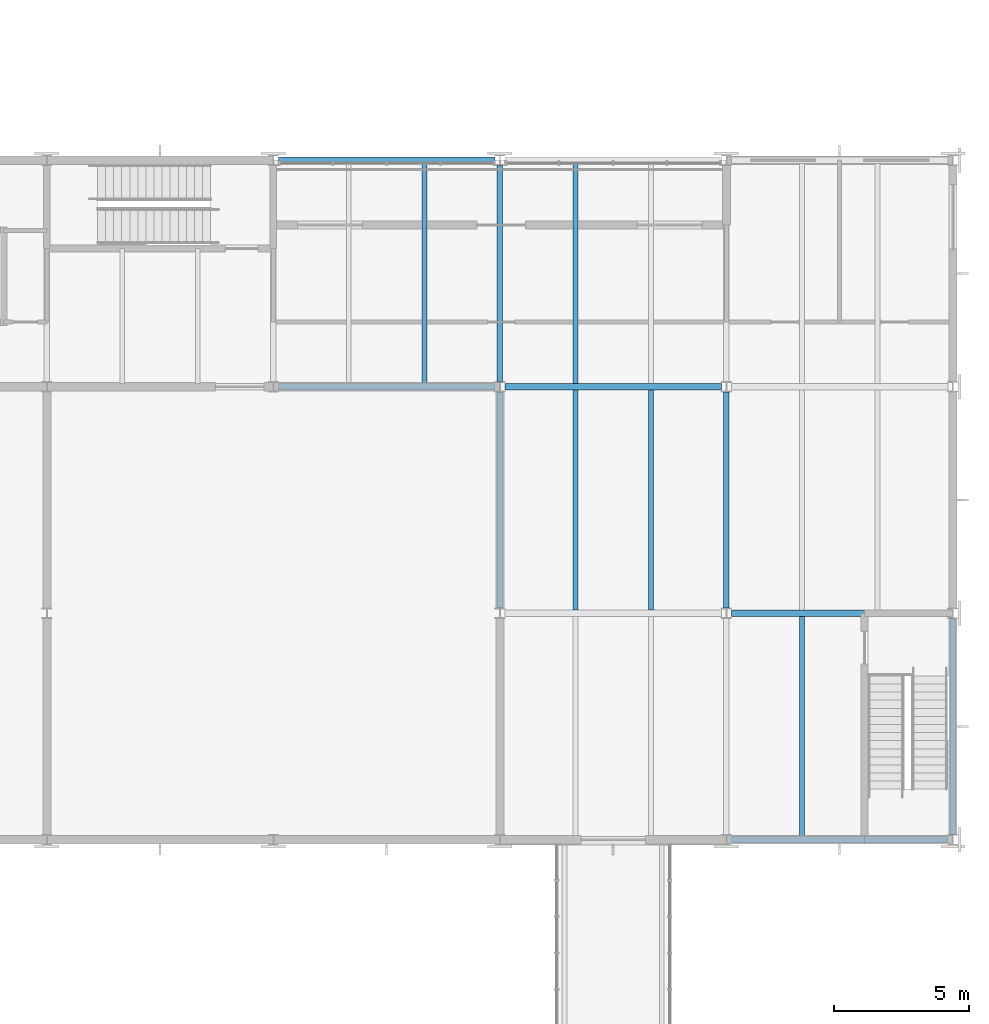
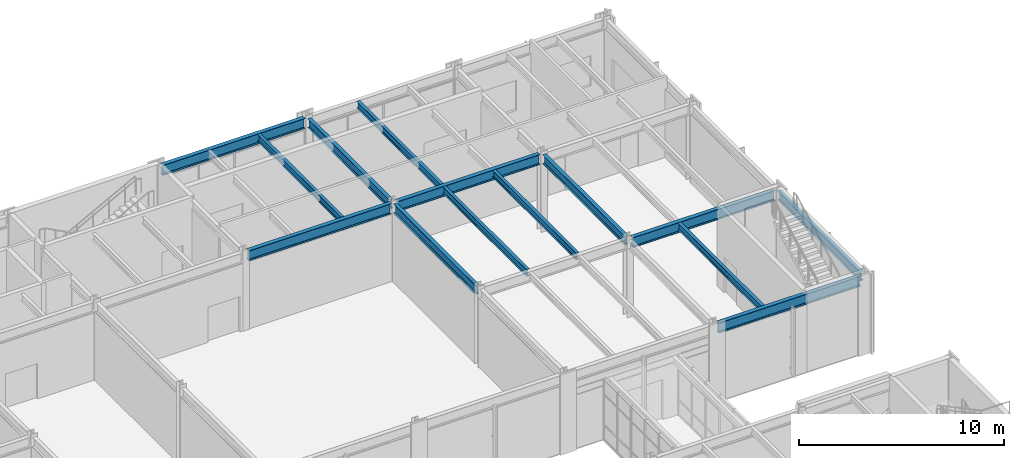
# One storey, part 52 of 127: 14 beams.
"""IFC4 building model written with IfcOpenShell, lengths in metres."""

from ifc_helpers import new_model, si_unit, direction, frame, origin, origin_2d, place, context, subcontext, project, spatial, i_section, extrude, material, material_profile, profile_set, type_object, element, save


model = new_model("IFC4")

# Units and contexts
model_context = context("Model", 3, precision=1e-05, world=origin(), true_north=direction((0.0, 1.0)))
body_context = subcontext(model_context, "Body", "Model", "MODEL_VIEW")
ifc_project = project(units=[si_unit("LENGTHUNIT", "METRE"), si_unit("AREAUNIT", "SQUARE_METRE"), si_unit("VOLUMEUNIT", "CUBIC_METRE"), si_unit("PLANEANGLEUNIT", "RADIAN"), si_unit("MASSUNIT", "GRAM", prefix="KILO")], contexts=[model_context])

# Site, building, storey
site_placement = place(None, origin())
site = spatial("IfcSite", under=ifc_project, at=site_placement, CompositionType="ELEMENT")
building_placement = place(site_placement, origin())
building = spatial("IfcBuilding", under=site, at=building_placement, Name="Ljudholm Concert House", CompositionType="ELEMENT")
storey_placement = place(building_placement, frame((0.0, 0.0, 5.39990234375)))
storey = spatial("IfcBuildingStorey", under=building, at=storey_placement, Name="L01", CompositionType="ELEMENT", Elevation=5.39990234375)

# Beams
ifc_material_1 = material(Name="Steel ASTM A992", Category="steel")
ifc_material_profile_1 = material_profile(ifc_material_1, i_section(OverallWidth=0.177734375, OverallDepth=0.406494140625, WebThickness=0.0078125, FlangeThickness=0.012939453125, FilletRadius=0.01025390625, at=origin_2d()), Name="W16X40")
ifc_profile_set_1 = profile_set([ifc_material_profile_1], Name="Steel ASTM A992")
beam_type_1 = type_object("IfcBeamType", Name="STEEL BEAM W16X40", PredefinedType="BEAM", material=ifc_profile_set_1)
for number, where, z_axis, x_axis, name in (
    (1, (102.0, 121.714599609375, 4.4169921875), (0.0, 1.0, 0.0), (-1.0, 0.0, 0.0), "Beam STUDIO-L02-sb-102-121.6"),
    (2, (107.60009765625, 113.314453125, 4.4169921875), (0.0, 1.0, 0.0), (-1.0, 0.0, 0.0), "Beam STUDIO-L02-sb-107.6-113.2"),
    (3, (110.39990234375, 113.314453125, 4.4169921875), (0.0, 1.0, 0.0), (-1.0, 0.0, 0.0), "Beam STUDIO-L02-sb-110.4-113.2"),
    (4, (107.60009765625, 121.714599609375, 4.4169921875), (0.0, 1.0, 0.0), (-1.0, 0.0, 0.0), "Beam STUDIO-L02-sb-107.6-121.6"),
    (5, (116.0, 104.91455078125, 4.4169921875), (0.0, 1.0, 0.0), (-1.0, 0.0, 0.0), "Beam STUDIO-L02-sb-116-104.8"),
):
    element("IfcBeam", number, at=place(storey_placement, frame(where, z_axis=z_axis, x_axis=x_axis)), inside=storey, type_object=beam_type_1, Name=name, PredefinedType="BEAM", context=body_context, shape_type="SweptSolid", body=[
        extrude(i_section(OverallWidth=0.177734375, OverallDepth=0.406494140625, WebThickness=0.0078125, FlangeThickness=0.012939453125, FilletRadius=0.01025390625, at=origin_2d()), origin(), (0.0, 0.0, 1.0), 8.1708984375),
    ])
ifc_material_2 = material(Name="Steel ASTM A992", Category="steel")
ifc_material_profile_2 = material_profile(ifc_material_2, i_section(OverallWidth=0.209228515625, OverallDepth=0.533447265625, WebThickness=0.01025390625, FlangeThickness=0.015625, FilletRadius=0.012939453125, at=origin_2d()), Name="W21X62")
ifc_profile_set_2 = profile_set([ifc_material_profile_2], Name="Steel ASTM A992")
beam_type_2 = type_object("IfcBeamType", Name="STEEL BEAM W21X62", PredefinedType="BEAM", material=ifc_profile_set_2)
for number, where, z_axis, x_axis, name in (
    (6, (104.800048828125, 113.38671875, 4.353515625), (0.0, 1.0, 0.0), (-1.0, 0.0, 0.0), "Beam STUDIO-L02-gy-104.8-113.2"),
    (7, (104.800048828125, 121.78662109375, 4.353515625), (0.0, 1.0, 0.0), (-1.0, 0.0, 0.0), "Beam STUDIO-L02-gy-104.8-121.6"),
    (8, (113.199951171875, 113.38671875, 4.353515625), (0.0, 1.0, 0.0), (-1.0, 0.0, 0.0), "Beam STUDIO-L02-gy-113.2-113.2"),
):
    element("IfcBeam", number, at=place(storey_placement, frame(where, z_axis=z_axis, x_axis=x_axis)), inside=storey, type_object=beam_type_2, Name=name, PredefinedType="BEAM", context=body_context, shape_type="SweptSolid", body=[
        extrude(i_section(OverallWidth=0.209228515625, OverallDepth=0.533447265625, WebThickness=0.01025390625, FlangeThickness=0.015625, FilletRadius=0.012939453125, at=origin_2d()), origin(), (0.0, 0.0, 1.0), 8.026611328125),
    ])
beam_1_placement = place(storey_placement, frame((121.60009765625, 104.986572265625, 4.353515625), z_axis=(0.0, 1.0, 0.0), x_axis=(-1.0, 0.0, 0.0)))
element("IfcBeam", 9, at=beam_1_placement, inside=storey, type_object=beam_type_2, Name="Beam STUDIO-L02-gy-121.6-104.8", PredefinedType="BEAM", context=body_context, shape_type="SweptSolid", body=[
    extrude(i_section(OverallWidth=0.209228515625, OverallDepth=0.533447265625, WebThickness=0.01025390625, FlangeThickness=0.015625, FilletRadius=0.012939453125, at=origin_2d()), origin(), (0.0, 0.0, 1.0), 8.02685546875),
])
ifc_material_3 = material(Name="Steel ASTM A992", Category="steel")
ifc_material_profile_3 = material_profile(ifc_material_3, i_section(OverallWidth=0.22900390625, OverallDepth=0.612060546875, WebThickness=0.011962890625, FlangeThickness=0.01953125, FilletRadius=0.0126953125, at=origin_2d()), Name="W24X84")
ifc_profile_set_3 = profile_set([ifc_material_profile_3], Name="Steel ASTM A992")
beam_type_3 = type_object("IfcBeamType", Name="STEEL BEAM W24X84", PredefinedType="BEAM", material=ifc_profile_set_3)
for number, where, z_axis, x_axis, name in (
    (10, (113.38671875, 104.800048828125, 4.31396484375), (1.0, 0.0, 0.0), (0.0, 1.0, 0.0), "Beam STUDIO-L02-gx-113.2-104.8"),
    (11, (113.38671875, 113.199951171875, 4.31396484375), (1.0, 0.0, 0.0), (0.0, 1.0, 0.0), "Beam STUDIO-L02-gx-113.2-113.2"),
    (12, (96.586669921875, 121.60009765625, 4.31396484375), (1.0, 0.0, 0.0), (0.0, 1.0, 0.0), "Beam STUDIO-L02-gx-96.4-121.6"),
):
    element("IfcBeam", number, at=place(storey_placement, frame(where, z_axis=z_axis, x_axis=x_axis)), inside=storey, type_object=beam_type_3, Name=name, PredefinedType="BEAM", context=body_context, shape_type="SweptSolid", body=[
        extrude(i_section(OverallWidth=0.22900390625, OverallDepth=0.612060546875, WebThickness=0.011962890625, FlangeThickness=0.01953125, FilletRadius=0.0126953125, at=origin_2d()), origin(), (0.0, 0.0, 1.0), 8.026611328125),
    ])
beam_2_placement = place(storey_placement, frame((104.986572265625, 121.60009765625, 4.31396484375), z_axis=(1.0, 0.0, 0.0), x_axis=(0.0, 1.0, 0.0)))
element("IfcBeam", 13, at=beam_2_placement, inside=storey, type_object=beam_type_3, Name="Beam STUDIO-L02-gx-104.8-121.6", PredefinedType="BEAM", context=body_context, shape_type="SweptSolid", body=[
    extrude(i_section(OverallWidth=0.22900390625, OverallDepth=0.612060546875, WebThickness=0.011962890625, FlangeThickness=0.01953125, FilletRadius=0.0126953125, at=origin_2d()), origin(), (0.0, 0.0, 1.0), 8.02685546875),
])
beam_3_placement = place(storey_placement, frame((96.586669921875, 130.0, 4.31396484375), z_axis=(1.0, 0.0, 0.0), x_axis=(0.0, 1.0, 0.0)))
element("IfcBeam", 14, at=beam_3_placement, inside=storey, type_object=beam_type_3, Name="Beam STUDIO-L02-gx-96.4-130", PredefinedType="BEAM", context=body_context, shape_type="SweptSolid", body=[
    extrude(i_section(OverallWidth=0.22900390625, OverallDepth=0.612060546875, WebThickness=0.011962890625, FlangeThickness=0.01953125, FilletRadius=0.0126953125, at=origin_2d()), origin(), (0.0, 0.0, 1.0), 8.026611328125),
])

save(model, "model.ifc")
